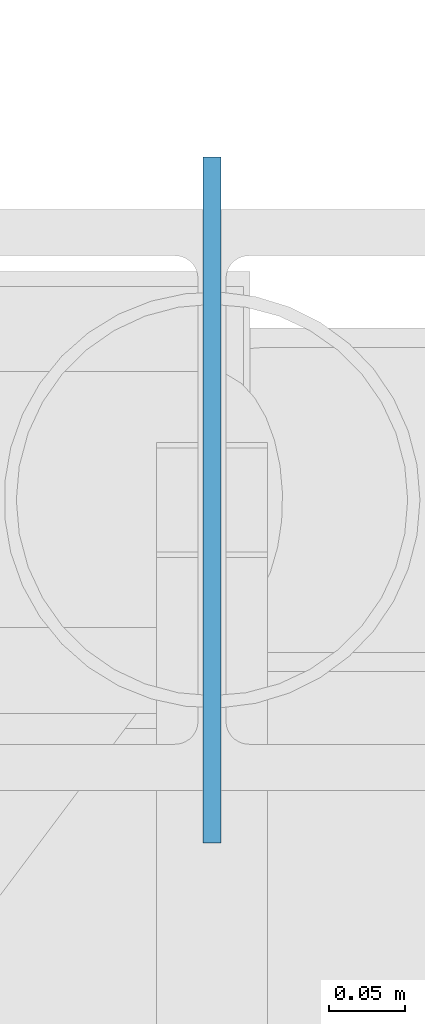
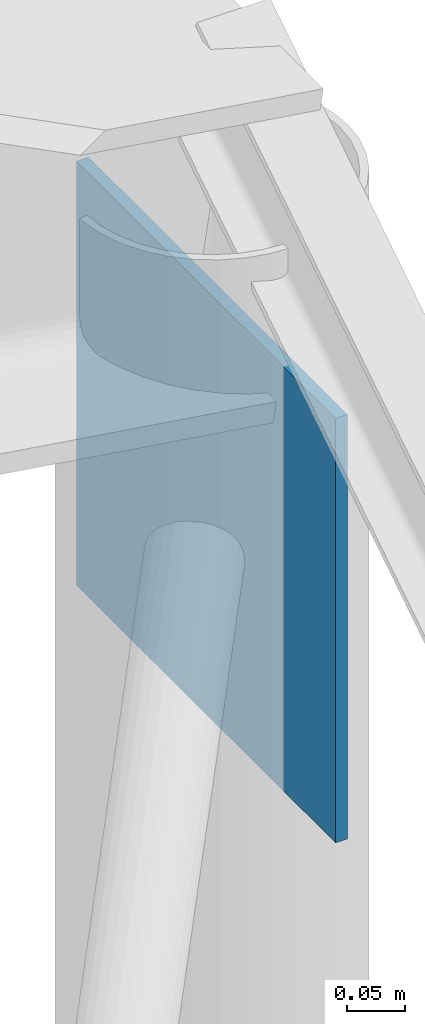
# One storey, part 259 of 262: 1 plate.
"""IFC4 building model written with IfcOpenShell, lengths in metres."""

from ifc_helpers import new_model, si_unit, derived_unit, direction, frame, origin, origin_2d, place, context, subcontext, project, spatial, rectangle, extrude, material, layer, layer_set, type_object, element, save


model = new_model("IFC4")

# Units and contexts
model_context = context("Model", 3, precision=1e-05, world=origin(), true_north=direction((0.0, 1.0)))
body_context = subcontext(model_context, "Body", "Model", "MODEL_VIEW")
ifc_project = project(units=[si_unit("LENGTHUNIT", "METRE"), si_unit("AREAUNIT", "SQUARE_METRE"), si_unit("VOLUMEUNIT", "CUBIC_METRE"), si_unit("PLANEANGLEUNIT", "RADIAN"), si_unit("MASSUNIT", "GRAM", prefix="KILO"), derived_unit("THERMALTRANSMITTANCEUNIT", [(si_unit("POWERUNIT", "WATT"), 1), (si_unit("LENGTHUNIT", "METRE"), -2), (si_unit("THERMODYNAMICTEMPERATUREUNIT", "KELVIN"), -1)])], contexts=[model_context])

# Site, building, storey
site_placement = place(None, origin())
site = spatial("IfcSite", under=ifc_project, at=site_placement, CompositionType="ELEMENT")
building_placement = place(site_placement, origin())
building = spatial("IfcBuilding", under=site, at=building_placement, Name="Almenara Railside Exhibition Hall", CompositionType="ELEMENT")
storey_placement = place(building_placement, frame((0.0, 0.0, 21.699951171875)))
storey = spatial("IfcBuildingStorey", under=building, at=storey_placement, Name="RF", CompositionType="ELEMENT", Elevation=21.699951171875)

# Plate
ifc_material = material(Name="Structural steel S355JR", Category="steel")
ifc_layer = layer(ifc_material, 0.011962890625, Name="Structural steel S355JR")
ifc_layer_set = layer_set([ifc_layer], Name="Structural steel S355JR")
plate_type = type_object("IfcPlateType", Name="Truss Node Gusset Plate 12mm S355JR", PredefinedType="USERDEFINED", material=ifc_layer_set)
plate_placement = place(storey_placement, frame((66.0, 132.0, 8.3251953125), z_axis=(0.0, 0.0, 1.0), x_axis=(0.0, 1.0, 0.0)))
element("IfcPlate", 1, at=plate_placement, inside=storey, type_object=plate_type, Name="PLT-GUS-0040", ObjectType="GUSSET_PLATE", PredefinedType="USERDEFINED", context=body_context, shape_type="SweptSolid", body=[
    extrude(rectangle(XDim=0.449951171875, YDim=0.011962890625, at=origin_2d()), origin(), (0.0, 0.0, 1.0), 0.449951171875),
])

save(model, "model.ifc")
